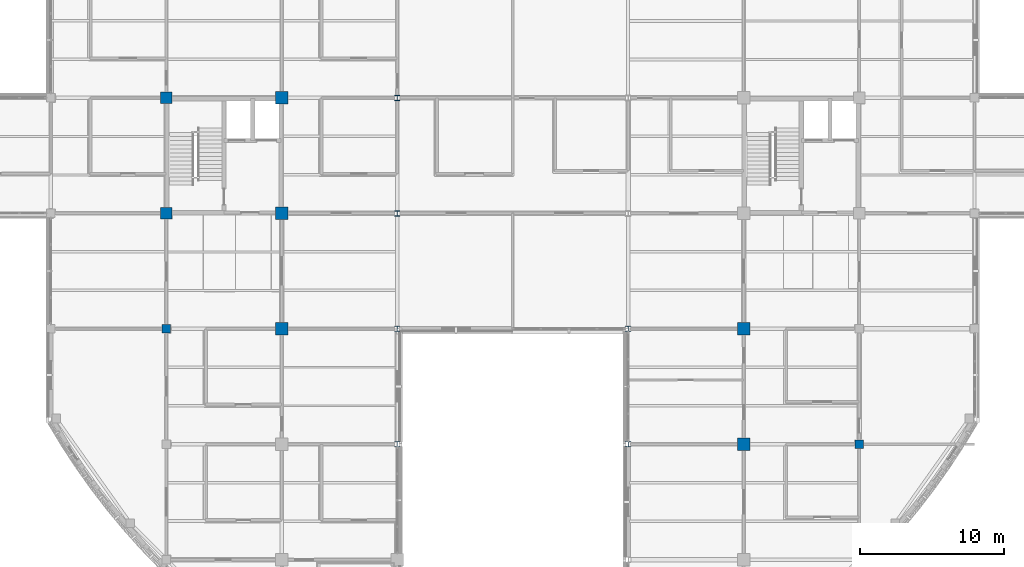
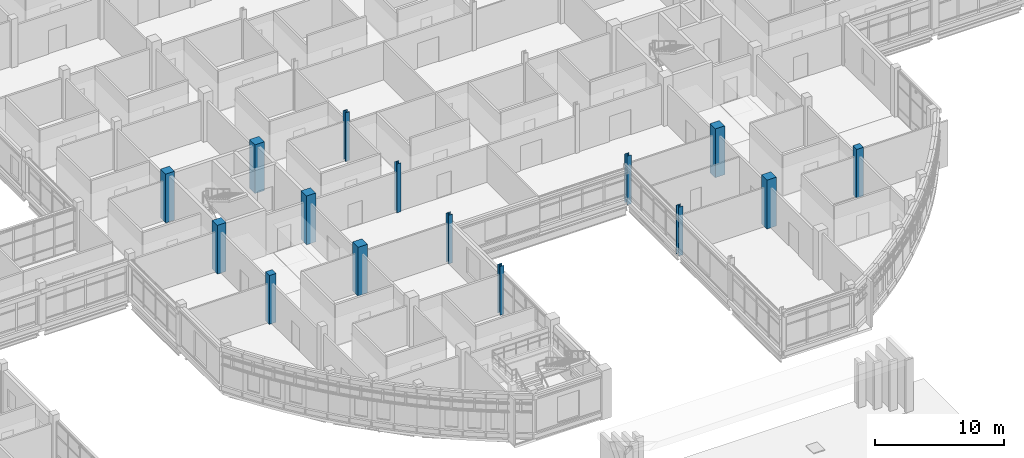
# One storey, part 3 of 121: 15 columns.
"""IFC4 building model written with IfcOpenShell, lengths in metres."""

from ifc_helpers import new_model, si_unit, derived_unit, direction, frame, origin, origin_2d, place, context, subcontext, project, spatial, rectangle, i_section, extrude, material, material_profile, profile_set, type_object, element, save


model = new_model("IFC4")

# Units and contexts
model_context = context("Model", 3, precision=1e-05, world=origin(), true_north=direction((0.0, 1.0)))
body_context = subcontext(model_context, "Body", "Model", "MODEL_VIEW")
ifc_project = project(units=[si_unit("LENGTHUNIT", "METRE"), si_unit("AREAUNIT", "SQUARE_METRE"), si_unit("VOLUMEUNIT", "CUBIC_METRE"), si_unit("PLANEANGLEUNIT", "RADIAN"), si_unit("MASSUNIT", "GRAM", prefix="KILO"), derived_unit("THERMALTRANSMITTANCEUNIT", [(si_unit("MASSUNIT", "GRAM", prefix="KILO"), 1), (si_unit("TIMEUNIT", "SECOND"), -3), (si_unit("THERMODYNAMICTEMPERATUREUNIT", "KELVIN"), -1)])], contexts=[model_context])

# Site, building, storey
site_placement = place(None, origin())
site = spatial("IfcSite", under=ifc_project, at=site_placement, CompositionType="ELEMENT")
building_placement = place(site_placement, origin())
building = spatial("IfcBuilding", under=site, at=building_placement, Name="Veyamyaing Civic Hall", CompositionType="ELEMENT")
storey_placement = place(building_placement, frame((0.0, 0.0, 5.280029296875)))
storey = spatial("IfcBuildingStorey", under=building, at=storey_placement, Name="L01", CompositionType="ELEMENT", Elevation=5.280029296875)

# Columns
ifc_material_1 = material(Name="Concrete C45/55", Category="concrete")
ifc_material_profile_1 = material_profile(ifc_material_1, rectangle(XDim=0.85009765625, YDim=0.85009765625, at=origin_2d()), Name="RC-COL-850X850")
ifc_profile_set_1 = profile_set([ifc_material_profile_1], Name="Concrete C45/55")
column_type_1 = type_object("IfcColumnType", Name="C-01", PredefinedType="COLUMN", material=ifc_profile_set_1)
for number, where, z_axis, x_axis, name in (
    (1, (72.0, 40.0, 0.0), (0.0, 0.0, 1.0), (1.0, 0.0, 0.0), "Column C-01 10-F L01"),
    (2, (72.0, 48.0, 0.0), (0.0, 0.0, 1.0), (1.0, 0.0, 0.0), "Column C-01 10-G L01"),
    (3, (72.0, 56.0, 0.0), (0.0, 0.0, 1.0), (1.0, 0.0, 0.0), "Column C-01 10-H L01"),
    (4, (104.0, 32.0, 0.0), (0.0, 0.0, 1.0), (1.0, 0.0, 0.0), "Column C-01 14-E L01"),
    (5, (104.0, 40.0, 0.0), (0.0, 0.0, 1.0), (1.0, 0.0, 0.0), "Column C-01 14-F L01"),
):
    element("IfcColumn", number, at=place(storey_placement, frame(where, z_axis=z_axis, x_axis=x_axis)), inside=storey, type_object=column_type_1, Name=name, PredefinedType="COLUMN", context=body_context, shape_type="SweptSolid", body=[
        extrude(rectangle(XDim=0.85009765625, YDim=0.85009765625, at=origin_2d()), origin(), (0.0, 0.0, 1.0), 4.619873046875),
    ])
ifc_material_profile_2 = material_profile(ifc_material_1, rectangle(XDim=0.800048828125, YDim=0.800048828125, at=origin_2d()), Name="RC-COL-800X800")
ifc_profile_set_2 = profile_set([ifc_material_profile_2], Name="Concrete C45/55")
column_type_2 = type_object("IfcColumnType", Name="C-02", PredefinedType="COLUMN", material=ifc_profile_set_2)
for number, where, z_axis, x_axis, name in (
    (6, (64.0, 48.0, 0.0), (0.0, 0.0, 1.0), (1.0, 0.0, 0.0), "Column C-02 9-G L01"),
    (7, (64.0, 56.0, 0.0), (0.0, 0.0, 1.0), (1.0, 0.0, 0.0), "Column C-02 9-H L01"),
):
    element("IfcColumn", number, at=place(storey_placement, frame(where, z_axis=z_axis, x_axis=x_axis)), inside=storey, type_object=column_type_2, Name=name, PredefinedType="COLUMN", context=body_context, shape_type="SweptSolid", body=[
        extrude(rectangle(XDim=0.800048828125, YDim=0.800048828125, at=origin_2d()), origin(), (0.0, 0.0, 1.0), 4.619873046875),
    ])
ifc_material_profile_3 = material_profile(ifc_material_1, rectangle(XDim=0.60009765625, YDim=0.60009765625, at=origin_2d()), Name="RC-COL-600X600")
ifc_profile_set_3 = profile_set([ifc_material_profile_3], Name="Concrete C45/55")
column_type_3 = type_object("IfcColumnType", Name="C-06", PredefinedType="COLUMN", material=ifc_profile_set_3)
for number, where, z_axis, x_axis, name in (
    (8, (64.0, 40.0, 0.0), (0.0, 0.0, 1.0), (1.0, 0.0, 0.0), "Column C-06 9-F L01"),
    (9, (112.0, 32.0, 0.0), (0.0, 0.0, 1.0), (1.0, 0.0, 0.0), "Column C-06 15-E L01"),
):
    element("IfcColumn", number, at=place(storey_placement, frame(where, z_axis=z_axis, x_axis=x_axis)), inside=storey, type_object=column_type_3, Name=name, PredefinedType="COLUMN", context=body_context, shape_type="SweptSolid", body=[
        extrude(rectangle(XDim=0.60009765625, YDim=0.60009765625, at=origin_2d()), origin(), (0.0, 0.0, 1.0), 4.619873046875),
    ])
ifc_material_2 = material(Name="Steel S355J2", Category="steel")
ifc_material_profile_4 = material_profile(ifc_material_2, i_section(OverallWidth=0.3740234375, OverallDepth=0.3720703125, WebThickness=0.016357421875, FlangeThickness=0.026123046875, FilletRadius=0.014892578125, at=origin_2d()), Name="W360X196")
ifc_profile_set_4 = profile_set([ifc_material_profile_4], Name="Steel S355J2")
column_type_4 = type_object("IfcColumnType", Name="C-09", PredefinedType="COLUMN", material=ifc_profile_set_4)
for number, where, z_axis, x_axis, name in (
    (10, (80.0, 32.0, 0.0), (0.0, 0.0, 1.0), (1.0, 0.0, 0.0), "Column C-09 11-E L01"),
    (11, (80.0, 40.0, 0.0), (0.0, 0.0, 1.0), (1.0, 0.0, 0.0), "Column C-09 11-F L01"),
    (12, (80.0, 48.0, 0.0), (0.0, 0.0, 1.0), (1.0, 0.0, 0.0), "Column C-09 11-G L01"),
    (13, (80.0, 56.0, 0.0), (0.0, 0.0, 1.0), (1.0, 0.0, 0.0), "Column C-09 11-H L01"),
    (14, (96.0, 32.0, 0.0), (0.0, 0.0, 1.0), (1.0, 0.0, 0.0), "Column C-09 13-E L01"),
    (15, (96.0, 40.0, 0.0), (0.0, 0.0, 1.0), (1.0, 0.0, 0.0), "Column C-09 13-F L01"),
):
    element("IfcColumn", number, at=place(storey_placement, frame(where, z_axis=z_axis, x_axis=x_axis)), inside=storey, type_object=column_type_4, Name=name, PredefinedType="COLUMN", context=body_context, shape_type="SweptSolid", body=[
        extrude(i_section(OverallWidth=0.3740234375, OverallDepth=0.3720703125, WebThickness=0.016357421875, FlangeThickness=0.026123046875, FilletRadius=0.014892578125, at=origin_2d()), origin(), (0.0, 0.0, 1.0), 4.619873046875),
    ])

save(model, "model.ifc")
